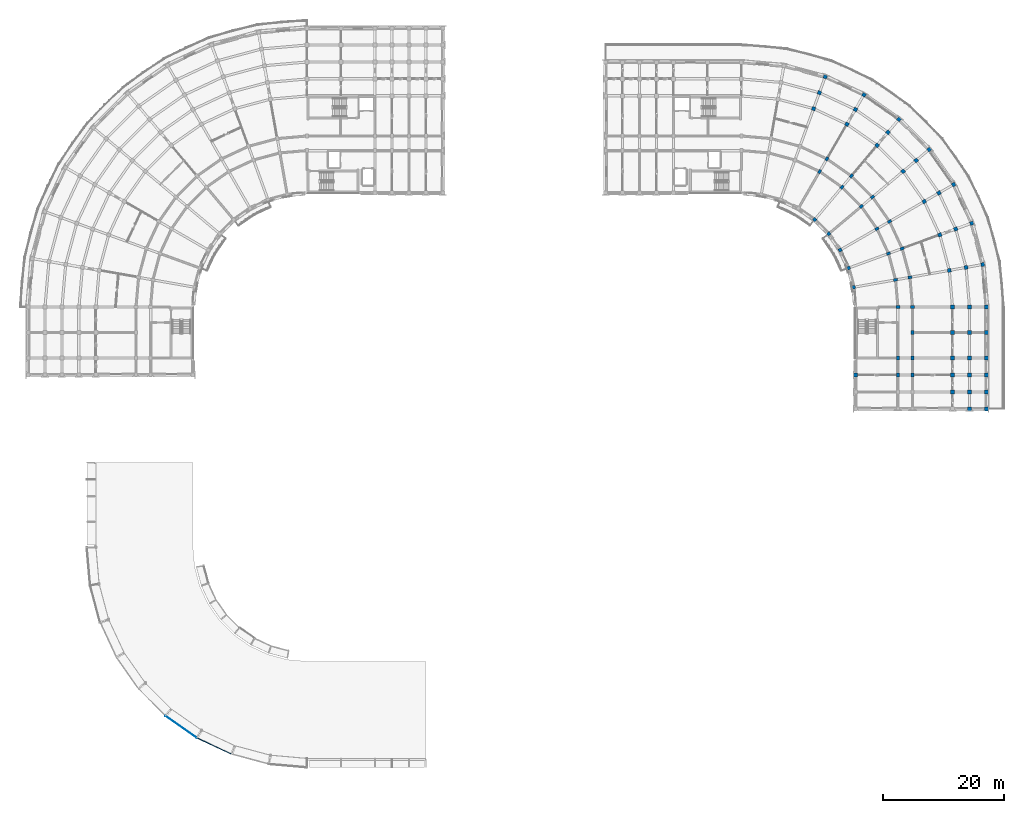
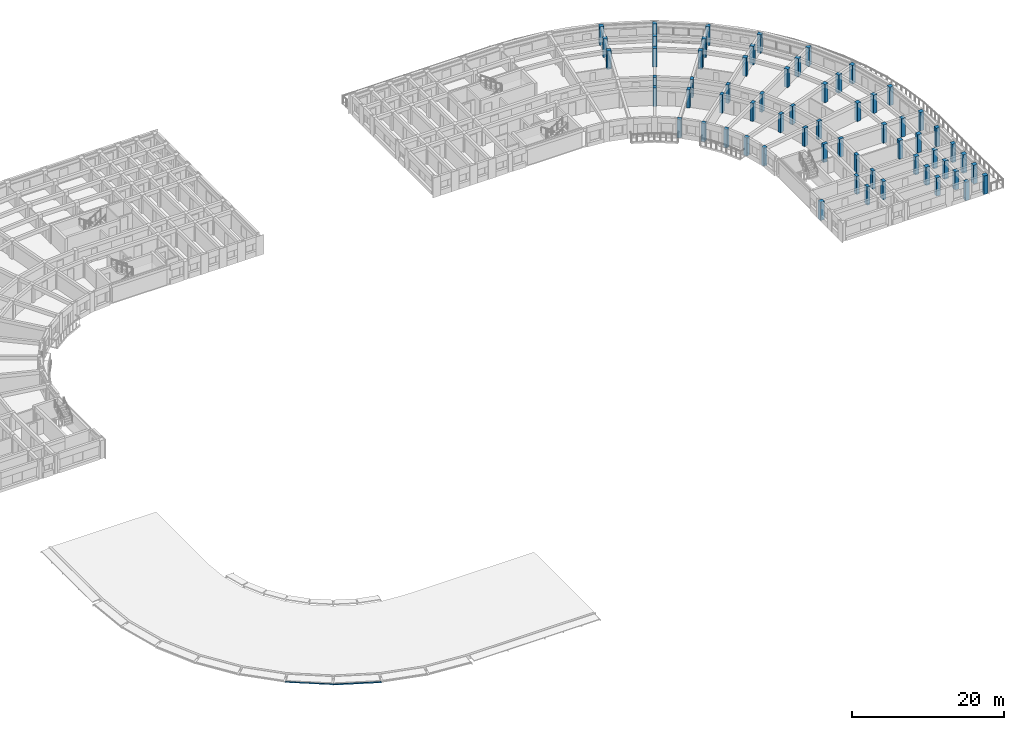
# One storey, part 2 of 41: 63 columns, 2 members.
"""IFC4 building model written with IfcOpenShell, lengths in metres."""

from ifc_helpers import new_model, si_unit, direction, frame, origin, origin_2d, place, context, subcontext, project, spatial, rectangle, hollow_rectangle, extrude, material, material_profile, profile_set, type_object, element, save


model = new_model("IFC4")

# Units and contexts
model_context = context("Model", 3, precision=1e-05, world=origin(), true_north=direction((0.0, 1.0)))
body_context = subcontext(model_context, "Body", "Model", "MODEL_VIEW")
ifc_project = project(units=[si_unit("LENGTHUNIT", "METRE"), si_unit("AREAUNIT", "SQUARE_METRE"), si_unit("VOLUMEUNIT", "CUBIC_METRE"), si_unit("PLANEANGLEUNIT", "RADIAN"), si_unit("MASSUNIT", "GRAM", prefix="KILO")], contexts=[model_context])

# Site, building, storey
site_placement = place(None, origin())
site = spatial("IfcSite", under=ifc_project, at=site_placement, CompositionType="ELEMENT")
building_placement = place(site_placement, origin())
building = spatial("IfcBuilding", under=site, at=building_placement, Name="Kiranvali Square Residences", CompositionType="ELEMENT")
storey_placement = place(building_placement, frame((0.0, 0.0, 33.89990234375)))
storey = spatial("IfcBuildingStorey", under=building, at=storey_placement, Name="L10", CompositionType="ELEMENT", Elevation=33.89990234375)

# Columns
ifc_material_1 = material(Name="Concrete M40 (40 MPa)", Category="concrete")
ifc_material_profile_1 = material_profile(ifc_material_1, rectangle(XDim=0.550048828125, YDim=0.550048828125, at=origin_2d()), Name="RC 550x550")
ifc_profile_set_1 = profile_set([ifc_material_profile_1], Name="Concrete M40 (40 MPa)")
column_type_1 = type_object("IfcColumnType", Name="COL-M40-550", PredefinedType="COLUMN", material=ifc_profile_set_1)
for number, where, z_axis, x_axis, name in (
    (1, (131.884521484375, 102.20166015625, 0.0), (0.0, 0.0, 1.0), (-0.766044443119, 0.642787609687, 0.0), "Block B L10 radial column A04-R0"),
    (2, (134.20166015625, 99.884521484375, 0.0), (0.0, 0.0, 1.0), (-0.642787609687, 0.766044443119, 0.0), "Block B L10 radial column A05-R0"),
    (3, (136.081298828125, 97.199951171875, 0.0), (0.0, 0.0, 1.0), (-0.5, 0.866025403784, 0.0), "Block B L10 radial column A06-R0"),
    (4, (137.46630859375, 94.22998046875, 0.0), (0.0, 0.0, 1.0), (-0.342020143326, 0.939692620786, 0.0), "Block B L10 radial column A07-R0"),
    (5, (138.314453125, 91.064697265625, 0.0), (0.0, 0.0, 1.0), (-0.173648177667, 0.984807753012, 0.0), "Block B L10 radial column A08-R0"),
):
    element("IfcColumn", number, at=place(storey_placement, frame(where, z_axis=z_axis, x_axis=x_axis)), inside=storey, type_object=column_type_1, Name=name, PredefinedType="COLUMN", context=body_context, shape_type="SweptSolid", body=[
        extrude(rectangle(XDim=0.550048828125, YDim=0.550048828125, at=origin_2d()), origin(), (0.0, 0.0, 1.0), 2.93017578125),
    ])
ifc_material_profile_2 = material_profile(ifc_material_1, rectangle(XDim=0.60009765625, YDim=0.60009765625, at=origin_2d()), Name="RC 600x600")
ifc_profile_set_2 = profile_set([ifc_material_profile_2], Name="Concrete M40 (40 MPa)")
column_type_2 = type_object("IfcColumnType", Name="COL-M40-600", PredefinedType="COLUMN", material=ifc_profile_set_2)
for number, where, z_axis, x_axis, name in (
    (6, (131.702392578125, 120.501220703125, 0.0), (0.0, 0.0, 1.0), (-0.939692620786, 0.342020143326, 0.0), "Block B L10 radial column A02-R3"),
    (7, (132.659912109375, 123.13232421875, 0.0), (0.0, 0.0, 1.0), (-0.939692620786, 0.342020143326, 0.0), "Block B L10 radial column A02-R4"),
):
    element("IfcColumn", number, at=place(storey_placement, frame(where, z_axis=z_axis, x_axis=x_axis)), inside=storey, type_object=column_type_2, Name=name, PredefinedType="COLUMN", context=body_context, shape_type="SweptSolid", body=[
        extrude(rectangle(XDim=0.60009765625, YDim=0.60009765625, at=origin_2d()), origin(), (0.0, 0.0, 1.0), 2.93017578125),
    ])
column_1_placement = place(storey_placement, frame((133.61767578125, 125.763671875, 0.0), z_axis=(0.0, 0.0, 1.0), x_axis=(-0.939692620786, 0.342020143326, 0.0)))
element("IfcColumn", 8, at=column_1_placement, inside=storey, type_object=column_type_2, Name="Block B L10 radial column A02-R5", PredefinedType="COLUMN", context=body_context, shape_type="SweptSolid", body=[
    extrude(rectangle(XDim=0.60009765625, YDim=0.60009765625, at=origin_2d()), origin(), (0.0, 0.0, 1.0), 2.97021484375),
])
for number, where, z_axis, x_axis, name in (
    (9, (137.199951171875, 117.937744140625, 0.0), (0.0, 0.0, 1.0), (-0.866025403784, 0.5, 0.0), "Block B L10 radial column A03-R3"),
    (10, (138.60009765625, 120.362548828125, 0.0), (0.0, 0.0, 1.0), (-0.866025403784, 0.5, 0.0), "Block B L10 radial column A03-R4"),
):
    element("IfcColumn", number, at=place(storey_placement, frame(where, z_axis=z_axis, x_axis=x_axis)), inside=storey, type_object=column_type_2, Name=name, PredefinedType="COLUMN", context=body_context, shape_type="SweptSolid", body=[
        extrude(rectangle(XDim=0.60009765625, YDim=0.60009765625, at=origin_2d()), origin(), (0.0, 0.0, 1.0), 2.93017578125),
    ])
column_2_placement = place(storey_placement, frame((140.0, 122.787353515625, 0.0), z_axis=(0.0, 0.0, 1.0), x_axis=(-0.866025403784, 0.5, 0.0)))
element("IfcColumn", 11, at=column_2_placement, inside=storey, type_object=column_type_2, Name="Block B L10 radial column A03-R5", PredefinedType="COLUMN", context=body_context, shape_type="SweptSolid", body=[
    extrude(rectangle(XDim=0.60009765625, YDim=0.60009765625, at=origin_2d()), origin(), (0.0, 0.0, 1.0), 2.97021484375),
])
for number, where, z_axis, x_axis, name in (
    (12, (142.1689453125, 114.458251953125, 0.0), (0.0, 0.0, 1.0), (-0.766044443119, 0.642787609687, 0.0), "Block B L10 radial column A04-R3"),
    (13, (143.96875, 116.603271484375, 0.0), (0.0, 0.0, 1.0), (-0.766044443119, 0.642787609687, 0.0), "Block B L10 radial column A04-R4"),
):
    element("IfcColumn", number, at=place(storey_placement, frame(where, z_axis=z_axis, x_axis=x_axis)), inside=storey, type_object=column_type_2, Name=name, PredefinedType="COLUMN", context=body_context, shape_type="SweptSolid", body=[
        extrude(rectangle(XDim=0.60009765625, YDim=0.60009765625, at=origin_2d()), origin(), (0.0, 0.0, 1.0), 2.93017578125),
    ])
column_3_placement = place(storey_placement, frame((145.7685546875, 118.748291015625, 0.0), z_axis=(0.0, 0.0, 1.0), x_axis=(-0.766044443119, 0.642787609687, 0.0)))
element("IfcColumn", 14, at=column_3_placement, inside=storey, type_object=column_type_2, Name="Block B L10 radial column A04-R5", PredefinedType="COLUMN", context=body_context, shape_type="SweptSolid", body=[
    extrude(rectangle(XDim=0.60009765625, YDim=0.60009765625, at=origin_2d()), origin(), (0.0, 0.0, 1.0), 2.97021484375),
])
for number, where, z_axis, x_axis, name in (
    (15, (146.458251953125, 110.1689453125, 0.0), (0.0, 0.0, 1.0), (-0.642787609687, 0.766044443119, 0.0), "Block B L10 radial column A05-R3"),
    (16, (148.603271484375, 111.96875, 0.0), (0.0, 0.0, 1.0), (-0.642787609687, 0.766044443119, 0.0), "Block B L10 radial column A05-R4"),
):
    element("IfcColumn", number, at=place(storey_placement, frame(where, z_axis=z_axis, x_axis=x_axis)), inside=storey, type_object=column_type_2, Name=name, PredefinedType="COLUMN", context=body_context, shape_type="SweptSolid", body=[
        extrude(rectangle(XDim=0.60009765625, YDim=0.60009765625, at=origin_2d()), origin(), (0.0, 0.0, 1.0), 2.93017578125),
    ])
column_4_placement = place(storey_placement, frame((150.748291015625, 113.7685546875, 0.0), z_axis=(0.0, 0.0, 1.0), x_axis=(-0.642787609687, 0.766044443119, 0.0)))
element("IfcColumn", 17, at=column_4_placement, inside=storey, type_object=column_type_2, Name="Block B L10 radial column A05-R5", PredefinedType="COLUMN", context=body_context, shape_type="SweptSolid", body=[
    extrude(rectangle(XDim=0.60009765625, YDim=0.60009765625, at=origin_2d()), origin(), (0.0, 0.0, 1.0), 2.97021484375),
])
for number, where, z_axis, x_axis, name in (
    (18, (149.937744140625, 105.199951171875, 0.0), (0.0, 0.0, 1.0), (-0.5, 0.866025403784, 0.0), "Block B L10 radial column A06-R3"),
    (19, (152.362548828125, 106.60009765625, 0.0), (0.0, 0.0, 1.0), (-0.5, 0.866025403784, 0.0), "Block B L10 radial column A06-R4"),
):
    element("IfcColumn", number, at=place(storey_placement, frame(where, z_axis=z_axis, x_axis=x_axis)), inside=storey, type_object=column_type_2, Name=name, PredefinedType="COLUMN", context=body_context, shape_type="SweptSolid", body=[
        extrude(rectangle(XDim=0.60009765625, YDim=0.60009765625, at=origin_2d()), origin(), (0.0, 0.0, 1.0), 2.93017578125),
    ])
column_5_placement = place(storey_placement, frame((154.787353515625, 108.0, 0.0), z_axis=(0.0, 0.0, 1.0), x_axis=(-0.5, 0.866025403784, 0.0)))
element("IfcColumn", 20, at=column_5_placement, inside=storey, type_object=column_type_2, Name="Block B L10 radial column A06-R5", PredefinedType="COLUMN", context=body_context, shape_type="SweptSolid", body=[
    extrude(rectangle(XDim=0.60009765625, YDim=0.60009765625, at=origin_2d()), origin(), (0.0, 0.0, 1.0), 2.97021484375),
])
for number, where, z_axis, x_axis, name in (
    (21, (152.501220703125, 99.702392578125, 0.0), (0.0, 0.0, 1.0), (-0.342020143326, 0.939692620786, 0.0), "Block B L10 radial column A07-R3"),
    (22, (155.13232421875, 100.659912109375, 0.0), (0.0, 0.0, 1.0), (-0.342020143326, 0.939692620786, 0.0), "Block B L10 radial column A07-R4"),
):
    element("IfcColumn", number, at=place(storey_placement, frame(where, z_axis=z_axis, x_axis=x_axis)), inside=storey, type_object=column_type_2, Name=name, PredefinedType="COLUMN", context=body_context, shape_type="SweptSolid", body=[
        extrude(rectangle(XDim=0.60009765625, YDim=0.60009765625, at=origin_2d()), origin(), (0.0, 0.0, 1.0), 2.93017578125),
    ])
column_6_placement = place(storey_placement, frame((157.763671875, 101.61767578125, 0.0), z_axis=(0.0, 0.0, 1.0), x_axis=(-0.342020143326, 0.939692620786, 0.0)))
element("IfcColumn", 23, at=column_6_placement, inside=storey, type_object=column_type_2, Name="Block B L10 radial column A07-R5", PredefinedType="COLUMN", context=body_context, shape_type="SweptSolid", body=[
    extrude(rectangle(XDim=0.60009765625, YDim=0.60009765625, at=origin_2d()), origin(), (0.0, 0.0, 1.0), 2.97021484375),
])
for number, where, z_axis, x_axis, name in (
    (24, (154.0712890625, 93.843017578125, 0.0), (0.0, 0.0, 1.0), (-0.173648177667, 0.984807753012, 0.0), "Block B L10 radial column A08-R3"),
    (25, (156.828857421875, 94.3291015625, 0.0), (0.0, 0.0, 1.0), (-0.173648177667, 0.984807753012, 0.0), "Block B L10 radial column A08-R4"),
):
    element("IfcColumn", number, at=place(storey_placement, frame(where, z_axis=z_axis, x_axis=x_axis)), inside=storey, type_object=column_type_2, Name=name, PredefinedType="COLUMN", context=body_context, shape_type="SweptSolid", body=[
        extrude(rectangle(XDim=0.60009765625, YDim=0.60009765625, at=origin_2d()), origin(), (0.0, 0.0, 1.0), 2.93017578125),
    ])
column_7_placement = place(storey_placement, frame((159.586181640625, 94.8154296875, 0.0), z_axis=(0.0, 0.0, 1.0), x_axis=(-0.173648177667, 0.984807753012, 0.0)))
element("IfcColumn", 26, at=column_7_placement, inside=storey, type_object=column_type_2, Name="Block B L10 radial column A08-R5", PredefinedType="COLUMN", context=body_context, shape_type="SweptSolid", body=[
    extrude(rectangle(XDim=0.60009765625, YDim=0.60009765625, at=origin_2d()), origin(), (0.0, 0.0, 1.0), 2.97021484375),
])
for number, where, z_axis, x_axis, name in (
    (27, (154.60009765625, 87.800048828125, 0.0), (0.0, 0.0, 1.0), (0.0, 1.0, 0.0), "Block B L10 radial column A09-R3"),
    (28, (157.39990234375, 87.800048828125, 0.0), (0.0, 0.0, 1.0), (0.0, 1.0, 0.0), "Block B L10 radial column A09-R4"),
):
    element("IfcColumn", number, at=place(storey_placement, frame(where, z_axis=z_axis, x_axis=x_axis)), inside=storey, type_object=column_type_2, Name=name, PredefinedType="COLUMN", context=body_context, shape_type="SweptSolid", body=[
        extrude(rectangle(XDim=0.60009765625, YDim=0.60009765625, at=origin_2d()), origin(), (0.0, 0.0, 1.0), 2.93017578125),
    ])
column_8_placement = place(storey_placement, frame((160.199951171875, 87.800048828125, 0.0), z_axis=(0.0, 0.0, 1.0), x_axis=(0.0, 1.0, 0.0)))
element("IfcColumn", 29, at=column_8_placement, inside=storey, type_object=column_type_2, Name="Block B L10 radial column A09-R5", PredefinedType="COLUMN", context=body_context, shape_type="SweptSolid", body=[
    extrude(rectangle(XDim=0.60009765625, YDim=0.60009765625, at=origin_2d()), origin(), (0.0, 0.0, 1.0), 2.97021484375),
])
for number, where, z_axis, x_axis, name in (
    (30, (154.60009765625, 83.60009765625, 0.0), (0.0, 0.0, 1.0), (1.0, 0.0, 0.0), "Block B L10 Arm 2 mid-core column V0-R3"),
    (31, (157.39990234375, 83.60009765625, 0.0), (0.0, 0.0, 1.0), (1.0, 0.0, 0.0), "Block B L10 Arm 2 mid-core column V0-R4"),
):
    element("IfcColumn", number, at=place(storey_placement, frame(where, z_axis=z_axis, x_axis=x_axis)), inside=storey, type_object=column_type_2, Name=name, PredefinedType="COLUMN", context=body_context, shape_type="SweptSolid", body=[
        extrude(rectangle(XDim=0.60009765625, YDim=0.60009765625, at=origin_2d()), origin(), (0.0, 0.0, 1.0), 2.93017578125),
    ])
column_9_placement = place(storey_placement, frame((160.199951171875, 83.60009765625, 0.0), z_axis=(0.0, 0.0, 1.0), x_axis=(1.0, 0.0, 0.0)))
element("IfcColumn", 32, at=column_9_placement, inside=storey, type_object=column_type_2, Name="Block B L10 Arm 2 mid-core column V0-R5", PredefinedType="COLUMN", context=body_context, shape_type="SweptSolid", body=[
    extrude(rectangle(XDim=0.60009765625, YDim=0.60009765625, at=origin_2d()), origin(), (0.0, 0.0, 1.0), 2.97021484375),
])
for number, where, z_axis, x_axis, name in (
    (33, (154.60009765625, 79.39990234375, 0.0), (0.0, 0.0, 1.0), (1.0, 0.0, 0.0), "Block B L10 Arm 2 column V1-R3"),
    (34, (157.39990234375, 79.39990234375, 0.0), (0.0, 0.0, 1.0), (1.0, 0.0, 0.0), "Block B L10 Arm 2 column V1-R4"),
):
    element("IfcColumn", number, at=place(storey_placement, frame(where, z_axis=z_axis, x_axis=x_axis)), inside=storey, type_object=column_type_2, Name=name, PredefinedType="COLUMN", context=body_context, shape_type="SweptSolid", body=[
        extrude(rectangle(XDim=0.60009765625, YDim=0.60009765625, at=origin_2d()), origin(), (0.0, 0.0, 1.0), 2.93017578125),
    ])
column_10_placement = place(storey_placement, frame((160.199951171875, 79.39990234375, 0.0), z_axis=(0.0, 0.0, 1.0), x_axis=(1.0, 0.0, 0.0)))
element("IfcColumn", 35, at=column_10_placement, inside=storey, type_object=column_type_2, Name="Block B L10 Arm 2 column V1-R5", PredefinedType="COLUMN", context=body_context, shape_type="SweptSolid", body=[
    extrude(rectangle(XDim=0.60009765625, YDim=0.60009765625, at=origin_2d()), origin(), (0.0, 0.0, 1.0), 2.97021484375),
])
for number, where, z_axis, x_axis, name in (
    (36, (138.60009765625, 76.60009765625, 0.0), (0.0, 0.0, 1.0), (1.0, 0.0, 0.0), "Block B L10 Arm 2 column V2-R0"),
    (37, (154.60009765625, 76.60009765625, 0.0), (0.0, 0.0, 1.0), (1.0, 0.0, 0.0), "Block B L10 Arm 2 column V2-R3"),
    (38, (157.39990234375, 76.60009765625, 0.0), (0.0, 0.0, 1.0), (1.0, 0.0, 0.0), "Block B L10 Arm 2 column V2-R4"),
):
    element("IfcColumn", number, at=place(storey_placement, frame(where, z_axis=z_axis, x_axis=x_axis)), inside=storey, type_object=column_type_2, Name=name, PredefinedType="COLUMN", context=body_context, shape_type="SweptSolid", body=[
        extrude(rectangle(XDim=0.60009765625, YDim=0.60009765625, at=origin_2d()), origin(), (0.0, 0.0, 1.0), 2.93017578125),
    ])
column_11_placement = place(storey_placement, frame((160.199951171875, 76.60009765625, 0.0), z_axis=(0.0, 0.0, 1.0), x_axis=(1.0, 0.0, 0.0)))
element("IfcColumn", 39, at=column_11_placement, inside=storey, type_object=column_type_2, Name="Block B L10 Arm 2 column V2-R5", PredefinedType="COLUMN", context=body_context, shape_type="SweptSolid", body=[
    extrude(rectangle(XDim=0.60009765625, YDim=0.60009765625, at=origin_2d()), origin(), (0.0, 0.0, 1.0), 2.97021484375),
])
for number, where, z_axis, x_axis, name in (
    (40, (154.60009765625, 73.800048828125, 0.0), (0.0, 0.0, 1.0), (1.0, 0.0, 0.0), "Block B L10 Arm 2 column V3-R3"),
    (41, (157.39990234375, 73.800048828125, 0.0), (0.0, 0.0, 1.0), (1.0, 0.0, 0.0), "Block B L10 Arm 2 column V3-R4"),
):
    element("IfcColumn", number, at=place(storey_placement, frame(where, z_axis=z_axis, x_axis=x_axis)), inside=storey, type_object=column_type_2, Name=name, PredefinedType="COLUMN", context=body_context, shape_type="SweptSolid", body=[
        extrude(rectangle(XDim=0.60009765625, YDim=0.60009765625, at=origin_2d()), origin(), (0.0, 0.0, 1.0), 2.93017578125),
    ])
column_12_placement = place(storey_placement, frame((160.199951171875, 73.800048828125, 0.0), z_axis=(0.0, 0.0, 1.0), x_axis=(1.0, 0.0, 0.0)))
element("IfcColumn", 42, at=column_12_placement, inside=storey, type_object=column_type_2, Name="Block B L10 Arm 2 column V3-R5", PredefinedType="COLUMN", context=body_context, shape_type="SweptSolid", body=[
    extrude(rectangle(XDim=0.60009765625, YDim=0.60009765625, at=origin_2d()), origin(), (0.0, 0.0, 1.0), 2.97021484375),
])
column_13_placement = place(storey_placement, frame((157.39990234375, 71.0, 0.0), z_axis=(0.0, 0.0, 1.0), x_axis=(1.0, 0.0, 0.0)))
element("IfcColumn", 43, at=column_13_placement, inside=storey, type_object=column_type_2, Name="Block B L10 Arm 2 column V4-R4", PredefinedType="COLUMN", context=body_context, shape_type="SweptSolid", body=[
    extrude(rectangle(XDim=0.60009765625, YDim=0.60009765625, at=origin_2d()), origin(), (0.0, 0.0, 1.0), 2.93017578125),
])
column_14_placement = place(storey_placement, frame((160.199951171875, 71.0, 0.0), z_axis=(0.0, 0.0, 1.0), x_axis=(1.0, 0.0, 0.0)))
element("IfcColumn", 44, at=column_14_placement, inside=storey, type_object=column_type_2, Name="Block B L10 Arm 2 column V4-R5", PredefinedType="COLUMN", context=body_context, shape_type="SweptSolid", body=[
    extrude(rectangle(XDim=0.60009765625, YDim=0.60009765625, at=origin_2d()), origin(), (0.0, 0.0, 1.0), 2.97021484375),
])
ifc_material_profile_3 = material_profile(ifc_material_1, rectangle(XDim=0.449951171875, YDim=0.64990234375, at=origin_2d()), Name="RC 650x450")
ifc_profile_set_3 = profile_set([ifc_material_profile_3], Name="Concrete M40 (40 MPa)")
column_type_3 = type_object("IfcColumnType", Name="COL-M40-650x450", PredefinedType="COLUMN", material=ifc_profile_set_3)
for number, where, z_axis, x_axis, name in (
    (45, (132.699951171875, 110.1435546875, 0.0), (0.0, 0.0, 1.0), (-0.866025403784, 0.5, 0.0), "Block B L10 radial column A03-R1"),
    (46, (133.89990234375, 112.221923828125, 0.0), (0.0, 0.0, 1.0), (-0.866025403784, 0.5, 0.0), "Block B L10 radial column A03-R2"),
    (47, (136.384033203125, 107.56396484375, 0.0), (0.0, 0.0, 1.0), (-0.766044443119, 0.642787609687, 0.0), "Block B L10 radial column A04-R1"),
    (48, (137.926513671875, 109.40234375, 0.0), (0.0, 0.0, 1.0), (-0.766044443119, 0.642787609687, 0.0), "Block B L10 radial column A04-R2"),
    (49, (139.56396484375, 104.384033203125, 0.0), (0.0, 0.0, 1.0), (-0.642787609687, 0.766044443119, 0.0), "Block B L10 radial column A05-R1"),
    (50, (141.40234375, 105.926513671875, 0.0), (0.0, 0.0, 1.0), (-0.642787609687, 0.766044443119, 0.0), "Block B L10 radial column A05-R2"),
    (51, (142.1435546875, 100.699951171875, 0.0), (0.0, 0.0, 1.0), (-0.5, 0.866025403784, 0.0), "Block B L10 radial column A06-R1"),
    (52, (144.221923828125, 101.89990234375, 0.0), (0.0, 0.0, 1.0), (-0.5, 0.866025403784, 0.0), "Block B L10 radial column A06-R2"),
    (53, (144.044189453125, 96.6240234375, 0.0), (0.0, 0.0, 1.0), (-0.342020143326, 0.939692620786, 0.0), "Block B L10 radial column A07-R1"),
    (54, (146.29931640625, 97.445068359375, 0.0), (0.0, 0.0, 1.0), (-0.342020143326, 0.939692620786, 0.0), "Block B L10 radial column A07-R2"),
    (55, (145.2080078125, 92.280029296875, 0.0), (0.0, 0.0, 1.0), (-0.173648177667, 0.984807753012, 0.0), "Block B L10 radial column A08-R1"),
    (56, (147.571533203125, 92.69677734375, 0.0), (0.0, 0.0, 1.0), (-0.173648177667, 0.984807753012, 0.0), "Block B L10 radial column A08-R2"),
    (57, (145.60009765625, 87.800048828125, 0.0), (0.0, 0.0, 1.0), (0.0, 1.0, 0.0), "Block B L10 radial column A09-R1"),
    (58, (148.0, 87.800048828125, 0.0), (0.0, 0.0, 1.0), (0.0, 1.0, 0.0), "Block B L10 radial column A09-R2"),
    (59, (148.0, 83.60009765625, 0.0), (0.0, 0.0, 1.0), (1.0, 0.0, 0.0), "Block B L10 Arm 2 mid-core column V0-R2"),
    (60, (145.60009765625, 79.39990234375, 0.0), (0.0, 0.0, 1.0), (1.0, 0.0, 0.0), "Block B L10 Arm 2 column V1-R1"),
    (61, (148.0, 79.39990234375, 0.0), (0.0, 0.0, 1.0), (1.0, 0.0, 0.0), "Block B L10 Arm 2 column V1-R2"),
    (62, (145.60009765625, 76.60009765625, 0.0), (0.0, 0.0, 1.0), (1.0, 0.0, 0.0), "Block B L10 Arm 2 column V2-R1"),
    (63, (148.0, 76.60009765625, 0.0), (0.0, 0.0, 1.0), (1.0, 0.0, 0.0), "Block B L10 Arm 2 column V2-R2"),
):
    element("IfcColumn", number, at=place(storey_placement, frame(where, z_axis=z_axis, x_axis=x_axis)), inside=storey, type_object=column_type_3, Name=name, PredefinedType="COLUMN", context=body_context, shape_type="SweptSolid", body=[
        extrude(rectangle(XDim=0.449951171875, YDim=0.64990234375, at=origin_2d()), origin(), (0.0, 0.0, 1.0), 2.93017578125),
    ])

# Members
ifc_material_2 = material(Name="Structural steel E350", Category="steel")
ifc_material_profile_4 = material_profile(ifc_material_2, hollow_rectangle(XDim=0.06103515625, YDim=0.1220703125, WallThickness=0.00439453125, at=origin_2d()), Name="RHS 122x61x4.5")
ifc_profile_set_4 = profile_set([ifc_material_profile_4], Name="Structural steel E350")
member_type_1 = type_object("IfcMemberType", Name="MEM-RHS122", PredefinedType="PURLIN", material=ifc_profile_set_4)
member_1_placement = place(storey_placement, frame((30.050048828125, 16.76318359375, -0.30078125), z_axis=(-0.819153970275, 0.573573685748, 0.0), x_axis=(-0.573573685748, -0.819153970275, 0.0)))
element("IfcMember", 64, at=member_1_placement, inside=storey, type_object=member_type_1, Name="Block C Ottoman eave fascia purlin 4", PredefinedType="PURLIN", context=body_context, shape_type="SweptSolid", body=[
    extrude(hollow_rectangle(XDim=0.06103515625, YDim=0.1220703125, WallThickness=0.00439453125, at=origin_2d()), origin(), (0.0, 0.0, 1.0), 6.32763671875),
])
ifc_material_profile_5 = material_profile(ifc_material_2, hollow_rectangle(XDim=0.10009765625, YDim=0.199951171875, WallThickness=0.006103515625, at=origin_2d()), Name="RHS 200x100x6.0")
ifc_profile_set_5 = profile_set([ifc_material_profile_5], Name="Structural steel E350")
member_type_2 = type_object("IfcMemberType", Name="MEM-RHS200", PredefinedType="PURLIN", material=ifc_profile_set_5)
member_2_placement = place(storey_placement, frame((35.78466796875, 14.089111328125, -0.33984375), z_axis=(-0.906309273507, 0.42261507398, 0.0), x_axis=(-0.42261507398, -0.906309273507, 0.0)))
element("IfcMember", 65, at=member_2_placement, inside=storey, type_object=member_type_2, Name="Block C Ottoman eave fascia purlin 3", PredefinedType="PURLIN", context=body_context, shape_type="SweptSolid", body=[
    extrude(hollow_rectangle(XDim=0.10009765625, YDim=0.199951171875, WallThickness=0.006103515625, at=origin_2d()), origin(), (0.0, 0.0, 1.0), 6.327392578125),
])

save(model, "model.ifc")
